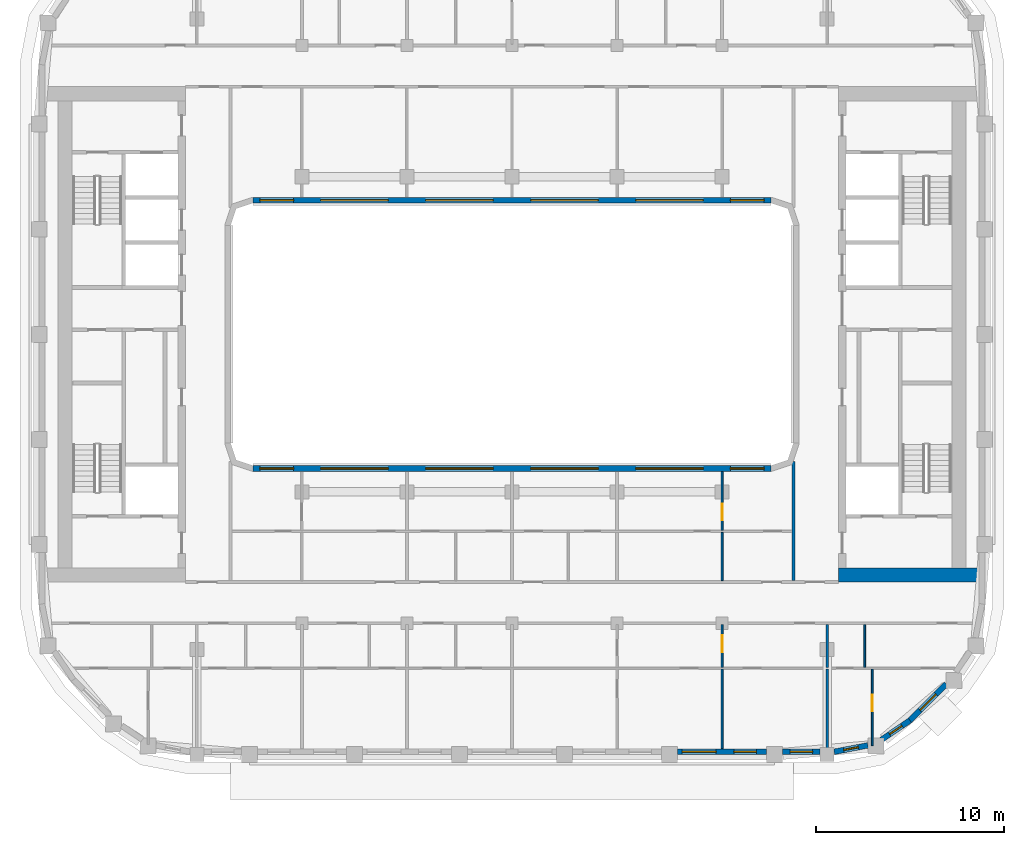
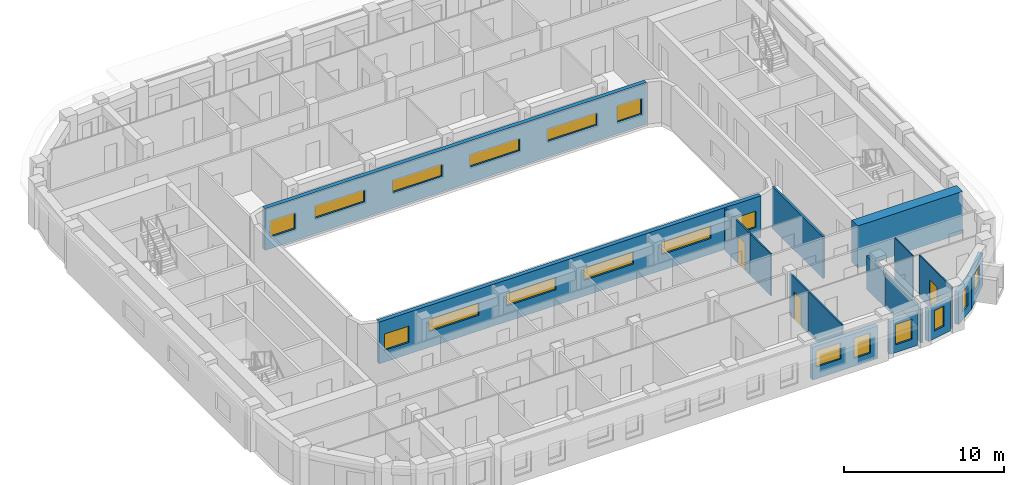
# One storey, part 5 of 21: 18 windows, 17 walls, 3 doors, 21 openings.
"""IFC4 building model written with IfcOpenShell, lengths in metres."""

from ifc_helpers import new_model, si_unit, direction, frame, frame_2d, origin, place, context, subcontext, project, spatial, rectangle, extrude, material, layer, layer_set, type_object, element, fill, save


model = new_model("IFC4")

# Units and contexts
model_context = context("Model", 3, precision=1e-05, world=origin(), true_north=direction((0.0, 1.0)))
body_context = subcontext(model_context, "Body", "Model", "MODEL_VIEW")
ifc_project = project(units=[si_unit("LENGTHUNIT", "METRE"), si_unit("AREAUNIT", "SQUARE_METRE"), si_unit("VOLUMEUNIT", "CUBIC_METRE"), si_unit("PLANEANGLEUNIT", "RADIAN"), si_unit("MASSUNIT", "GRAM", prefix="KILO")], contexts=[model_context])

# Site, building, storey
site_placement = place(None, origin())
site = spatial("IfcSite", under=ifc_project, at=site_placement, CompositionType="ELEMENT")
building_placement = place(site_placement, origin())
building = spatial("IfcBuilding", under=site, at=building_placement, Name="Kiln Ring Residences", CompositionType="ELEMENT")
storey_placement = place(building_placement, frame((0.0, 0.0, 223.89990234375)))
storey = spatial("IfcBuildingStorey", under=building, at=storey_placement, Name="L58", CompositionType="ELEMENT", Elevation=223.89990234375)

# Wall
ifc_material_1 = material(Name="Concrete C60/75", Category="concrete")
ifc_layer_1 = layer(ifc_material_1, 0.75)
ifc_layer_set_1 = layer_set([ifc_layer_1], Name="CORE-WALL-RC750")
wall_type_1 = type_object("IfcWallType", Name="CORE-WALL-RC750", PredefinedType="SHEAR", material=ifc_layer_set_1)
wall_1_placement = place(storey_placement, frame((17.39990234375, -12.824951171875, 0.0), z_axis=(0.0, 0.0, 1.0), x_axis=(1.0, 0.0, 0.0)))
element("IfcWall", 1, at=wall_1_placement, inside=storey, type_object=wall_type_1, Name="Core wall east L58 5", PredefinedType="SHEAR", context=body_context, shape_type="SweptSolid", body=[
    extrude(rectangle(XDim=7.60009765625, YDim=0.75, at=frame_2d((3.800048828125, 0.0))), origin(), (0.0, 0.0, 1.0), 3.2001953125),
])

# Wall, openings, windows
ifc_material_2 = material(Name="Brick masonry, dark clay brick", Category="masonry")
ifc_layer_2 = layer(ifc_material_2, 0.300048828125)
ifc_layer_set_2 = layer_set([ifc_layer_2], Name="EW-300 BRICK WALL")
wall_type_2 = type_object("IfcWallType", Name="EW-300 BRICK WALL", PredefinedType="SOLIDWALL", material=ifc_layer_set_2)
wall_2_placement = place(storey_placement, frame((8.824951171875, -22.25, 0.0), z_axis=(0.0, 0.0, 1.0), x_axis=(1.0, 0.0, 0.0)))
wall_2 = element("IfcWall", 2, at=wall_2_placement, inside=storey, type_object=wall_type_2, Name="Facade wall L58 9", PredefinedType="SOLIDWALL", context=body_context, shape_type="SweptSolid", body=[
    extrude(rectangle(XDim=4.75, YDim=0.300048828125, at=frame_2d((2.375, 0.0))), origin(), (0.0, 0.0, 1.0), 2.5),
])
opening_1_placement = place(wall_2_placement, frame((0.25, 0.0, 0.89990234375)))
opening_1 = element("IfcOpeningElement", 3, at=opening_1_placement, cuts=wall_2, Name="Opening W2", PredefinedType="OPENING", context=body_context, shape_type="SweptSolid", body=[
    extrude(rectangle(XDim=1.800048828125, YDim=1.25, at=frame_2d((0.89990234375, 0.625))), frame((0.0, 0.159912109375, 0.0), z_axis=(0.0, -1.0, 0.0), x_axis=(1.0, 0.0, 0.0)), (0.0, 0.0, 1.0), 0.320068359375),
])
opening_2_placement = place(wall_2_placement, frame((3.0, 0.0, 0.60009765625)))
opening_2 = element("IfcOpeningElement", 4, at=opening_2_placement, cuts=wall_2, Name="Opening W1", PredefinedType="OPENING", context=body_context, shape_type="SweptSolid", body=[
    extrude(rectangle(XDim=1.199951171875, YDim=1.550048828125, at=frame_2d((0.60009765625, 0.77490234375))), frame((0.0, 0.159912109375, 0.0), z_axis=(0.0, -1.0, 0.0), x_axis=(1.0, 0.0, 0.0)), (0.0, 0.0, 1.0), 0.320068359375),
])
ifc_material_3 = material(Name="Aluminium frame with double glazing", Category="aluminium")
window_type_1 = type_object("IfcWindowType", Name="WINDOW 1200 x 1550", PartitioningType="SINGLE_PANEL", PredefinedType="WINDOW", material=ifc_material_3)
window_1_placement = place(opening_2_placement, origin())
window_1 = element("IfcWindow", 5, at=window_1_placement, inside=storey, type_object=window_type_1, Name="Window L58 13", OverallHeight=1.550048828125, OverallWidth=1.199951171875, PartitioningType="SINGLE_PANEL", PredefinedType="WINDOW", context=body_context, shape_type="SweptSolid", body=[
    extrude(rectangle(XDim=1.199951171875, YDim=1.550048828125, at=frame_2d((0.60009765625, 0.77490234375))), frame((0.0, 0.030029296875, 0.0), z_axis=(0.0, -1.0, 0.0), x_axis=(1.0, 0.0, 0.0)), (0.0, 0.0, 1.0), 0.06005859375),
])
fill(opening_2, window_1)
ifc_material_4 = material(Name="Aluminium frame with double glazing", Category="aluminium")
window_type_2 = type_object("IfcWindowType", Name="WINDOW 1800 x 1250", PartitioningType="SINGLE_PANEL", PredefinedType="WINDOW", material=ifc_material_4)
window_2_placement = place(opening_1_placement, origin())
window_2 = element("IfcWindow", 6, at=window_2_placement, inside=storey, type_object=window_type_2, Name="Window L58 12", OverallHeight=1.25, OverallWidth=1.800048828125, PartitioningType="SINGLE_PANEL", PredefinedType="WINDOW", context=body_context, shape_type="SweptSolid", body=[
    extrude(rectangle(XDim=1.800048828125, YDim=1.25, at=frame_2d((0.89990234375, 0.625))), frame((0.0, 0.030029296875, 0.0), z_axis=(0.0, -1.0, 0.0), x_axis=(1.0, 0.0, 0.0)), (0.0, 0.0, 1.0), 0.06005859375),
])
fill(opening_1, window_2)

# Wall, opening, window
wall_3_placement = place(storey_placement, frame((14.425048828125, -22.25, 0.0), z_axis=(0.0, 0.0, 1.0), x_axis=(1.0, 0.0, 0.0)))
wall_3 = element("IfcWall", 7, at=wall_3_placement, inside=storey, type_object=wall_type_2, Name="Facade wall L58 10", PredefinedType="SOLIDWALL", context=body_context, shape_type="SweptSolid", body=[
    extrude(rectangle(XDim=2.0, YDim=0.300048828125, at=frame_2d((1.0, 0.0))), origin(), (0.0, 0.0, 1.0), 2.5),
])
opening_3_placement = place(wall_3_placement, frame((0.39990234375, 0.0, 0.60009765625)))
opening_3 = element("IfcOpeningElement", 8, at=opening_3_placement, cuts=wall_3, Name="Opening W1", PredefinedType="OPENING", context=body_context, shape_type="SweptSolid", body=[
    extrude(rectangle(XDim=1.199951171875, YDim=1.550048828125, at=frame_2d((0.60009765625, 0.77490234375))), frame((0.0, 0.159912109375, 0.0), z_axis=(0.0, -1.0, 0.0), x_axis=(1.0, 0.0, 0.0)), (0.0, 0.0, 1.0), 0.320068359375),
])
window_3_placement = place(opening_3_placement, origin())
window_3 = element("IfcWindow", 9, at=window_3_placement, inside=storey, type_object=window_type_1, Name="Window L58 14", OverallHeight=1.550048828125, OverallWidth=1.199951171875, PartitioningType="SINGLE_PANEL", PredefinedType="WINDOW", context=body_context, shape_type="SweptSolid", body=[
    extrude(rectangle(XDim=1.199951171875, YDim=1.550048828125, at=frame_2d((0.60009765625, 0.77490234375))), frame((0.0, 0.030029296875, 0.0), z_axis=(0.0, -1.0, 0.0), x_axis=(1.0, 0.0, 0.0)), (0.0, 0.0, 1.0), 0.06005859375),
])
fill(opening_3, window_3)

wall_4_placement = place(storey_placement, frame((17.171875, -22.252685546875, 0.0), z_axis=(0.0, 0.0, 1.0), x_axis=(0.982300037503, 0.187314271538, 0.0)))
wall_4 = element("IfcWall", 10, at=wall_4_placement, inside=storey, type_object=wall_type_2, Name="Facade wall L58 11", PredefinedType="SOLIDWALL", context=body_context, shape_type="SweptSolid", body=[
    extrude(rectangle(XDim=1.831298828125, YDim=0.300048828125, at=frame_2d((0.91552734375, 0.0))), origin(), (0.0, 0.0, 1.0), 2.5),
])
opening_4_placement = place(wall_4_placement, frame((0.515625, 0.0, 0.60009765625)))
opening_4 = element("IfcOpeningElement", 11, at=opening_4_placement, cuts=wall_4, Name="Opening W5", PredefinedType="OPENING", context=body_context, shape_type="SweptSolid", body=[
    extrude(rectangle(XDim=0.800048828125, YDim=1.550048828125, at=frame_2d((0.39990234375, 0.77490234375))), frame((0.0, 0.159912109375, 0.0), z_axis=(0.0, -1.0, 0.0), x_axis=(1.0, 0.0, 0.0)), (0.0, 0.0, 1.0), 0.320068359375),
])
ifc_material_5 = material(Name="Aluminium frame with double glazing", Category="aluminium")
window_type_3 = type_object("IfcWindowType", Name="WINDOW 800 x 1550", PartitioningType="SINGLE_PANEL", PredefinedType="WINDOW", material=ifc_material_5)
window_4_placement = place(opening_4_placement, origin())
window_4 = element("IfcWindow", 12, at=window_4_placement, inside=storey, type_object=window_type_3, Name="Window L58 15", OverallHeight=1.550048828125, OverallWidth=0.800048828125, PartitioningType="SINGLE_PANEL", PredefinedType="WINDOW", context=body_context, shape_type="SweptSolid", body=[
    extrude(rectangle(XDim=0.800048828125, YDim=1.550048828125, at=frame_2d((0.39990234375, 0.77490234375))), frame((0.0, 0.030029296875, 0.0), z_axis=(0.0, -1.0, 0.0), x_axis=(1.0, 0.0, 0.0)), (0.0, 0.0, 1.0), 0.06005859375),
])
fill(opening_4, window_4)

wall_5_placement = place(storey_placement, frame((19.6982421875, -21.608154296875, 0.0), z_axis=(0.0, 0.0, 1.0), x_axis=(0.82705295608, 0.562124014644, 0.0)))
wall_5 = element("IfcWall", 13, at=wall_5_placement, inside=storey, type_object=wall_type_2, Name="Facade wall L58 12", PredefinedType="SOLIDWALL", context=body_context, shape_type="SweptSolid", body=[
    extrude(rectangle(XDim=1.8310546875, YDim=0.300048828125, at=frame_2d((0.91552734375, 0.0))), origin(), (0.0, 0.0, 1.0), 2.5),
])
opening_5_placement = place(wall_5_placement, frame((0.515625, 0.0, 0.60009765625)))
opening_5 = element("IfcOpeningElement", 14, at=opening_5_placement, cuts=wall_5, Name="Opening W5", PredefinedType="OPENING", context=body_context, shape_type="SweptSolid", body=[
    extrude(rectangle(XDim=0.800048828125, YDim=1.550048828125, at=frame_2d((0.39990234375, 0.77490234375))), frame((0.0, 0.159912109375, 0.0), z_axis=(0.0, -1.0, 0.0), x_axis=(1.0, 0.0, 0.0)), (0.0, 0.0, 1.0), 0.320068359375),
])
window_5_placement = place(opening_5_placement, origin())
window_5 = element("IfcWindow", 15, at=window_5_placement, inside=storey, type_object=window_type_3, Name="Window L58 16", OverallHeight=1.550048828125, OverallWidth=0.800048828125, PartitioningType="SINGLE_PANEL", PredefinedType="WINDOW", context=body_context, shape_type="SweptSolid", body=[
    extrude(rectangle(XDim=0.800048828125, YDim=1.550048828125, at=frame_2d((0.39990234375, 0.77490234375))), frame((0.0, 0.030029296875, 0.0), z_axis=(0.0, -1.0, 0.0), x_axis=(1.0, 0.0, 0.0)), (0.0, 0.0, 1.0), 0.06005859375),
])
fill(opening_5, window_5)

wall_6_placement = place(storey_placement, frame((21.19091796875, -20.596923828125, 0.0), z_axis=(0.0, 0.0, 1.0), x_axis=(0.707150767798, 0.707062791838, 0.0)))
wall_6 = element("IfcWall", 16, at=wall_6_placement, inside=storey, type_object=wall_type_2, Name="Facade wall L58 13", PredefinedType="SOLIDWALL", context=body_context, shape_type="SweptSolid", body=[
    extrude(rectangle(XDim=2.775146484375, YDim=0.300048828125, at=frame_2d((1.3876953125, 0.0))), origin(), (0.0, 0.0, 1.0), 2.5),
])
opening_6_placement = place(wall_6_placement, frame((0.78759765625, 0.0, 0.60009765625)))
opening_6 = element("IfcOpeningElement", 17, at=opening_6_placement, cuts=wall_6, Name="Opening W1", PredefinedType="OPENING", context=body_context, shape_type="SweptSolid", body=[
    extrude(rectangle(XDim=1.199951171875, YDim=1.550048828125, at=frame_2d((0.60009765625, 0.77490234375))), frame((0.0, 0.159912109375, 0.0), z_axis=(0.0, -1.0, 0.0), x_axis=(1.0, 0.0, 0.0)), (0.0, 0.0, 1.0), 0.320068359375),
])
window_6_placement = place(opening_6_placement, origin())
window_6 = element("IfcWindow", 18, at=window_6_placement, inside=storey, type_object=window_type_1, Name="Window L58 17", OverallHeight=1.550048828125, OverallWidth=1.199951171875, PartitioningType="SINGLE_PANEL", PredefinedType="WINDOW", context=body_context, shape_type="SweptSolid", body=[
    extrude(rectangle(XDim=1.199951171875, YDim=1.550048828125, at=frame_2d((0.60009765625, 0.77490234375))), frame((0.0, 0.030029296875, 0.0), z_axis=(0.0, -1.0, 0.0), x_axis=(1.0, 0.0, 0.0)), (0.0, 0.0, 1.0), 0.06005859375),
])
fill(opening_6, window_6)

# Wall, openings, windows
wall_7_placement = place(storey_placement, frame((-13.800048828125, 7.14990234375, 0.0), z_axis=(0.0, 0.0, 1.0), x_axis=(1.0, 0.0, 0.0)))
wall_7 = element("IfcWall", 19, at=wall_7_placement, inside=storey, type_object=wall_type_2, Name="Facade wall L58 48", PredefinedType="SOLIDWALL", context=body_context, shape_type="SweptSolid", body=[
    extrude(rectangle(XDim=27.60009765625, YDim=0.300048828125, at=frame_2d((13.800048828125, 0.0))), origin(), (0.0, 0.0, 1.0), 3.2001953125),
])
opening_7_placement = place(wall_7_placement, frame((0.362548828125, 0.0, 0.89990234375)))
opening_7 = element("IfcOpeningElement", 20, at=opening_7_placement, cuts=wall_7, Name="Opening W2", PredefinedType="OPENING", context=body_context, shape_type="SweptSolid", body=[
    extrude(rectangle(XDim=1.800048828125, YDim=1.25, at=frame_2d((0.89990234375, 0.625))), frame((0.0, 0.159912109375, 0.0), z_axis=(0.0, -1.0, 0.0), x_axis=(1.0, 0.0, 0.0)), (0.0, 0.0, 1.0), 0.320068359375),
])
opening_8_placement = place(wall_7_placement, frame((3.60009765625, 0.0, 1.199951171875)))
opening_8 = element("IfcOpeningElement", 21, at=opening_8_placement, cuts=wall_7, Name="Opening W4", PredefinedType="OPENING", context=body_context, shape_type="SweptSolid", body=[
    extrude(rectangle(XDim=3.60009765625, YDim=0.949951171875, at=frame_2d((1.800048828125, 0.47509765625))), frame((0.0, 0.159912109375, 0.0), z_axis=(0.0, -1.0, 0.0), x_axis=(1.0, 0.0, 0.0)), (0.0, 0.0, 1.0), 0.320068359375),
])
opening_9_placement = place(wall_7_placement, frame((9.199951171875, 0.0, 1.199951171875)))
opening_9 = element("IfcOpeningElement", 22, at=opening_9_placement, cuts=wall_7, Name="Opening W4", PredefinedType="OPENING", context=body_context, shape_type="SweptSolid", body=[
    extrude(rectangle(XDim=3.60009765625, YDim=0.949951171875, at=frame_2d((1.800048828125, 0.47509765625))), frame((0.0, 0.159912109375, 0.0), z_axis=(0.0, -1.0, 0.0), x_axis=(1.0, 0.0, 0.0)), (0.0, 0.0, 1.0), 0.320068359375),
])
opening_10_placement = place(wall_7_placement, frame((14.800048828125, 0.0, 1.199951171875)))
opening_10 = element("IfcOpeningElement", 23, at=opening_10_placement, cuts=wall_7, Name="Opening W4", PredefinedType="OPENING", context=body_context, shape_type="SweptSolid", body=[
    extrude(rectangle(XDim=3.60009765625, YDim=0.949951171875, at=frame_2d((1.800048828125, 0.47509765625))), frame((0.0, 0.159912109375, 0.0), z_axis=(0.0, -1.0, 0.0), x_axis=(1.0, 0.0, 0.0)), (0.0, 0.0, 1.0), 0.320068359375),
])
opening_11_placement = place(wall_7_placement, frame((20.39990234375, 0.0, 1.199951171875)))
opening_11 = element("IfcOpeningElement", 24, at=opening_11_placement, cuts=wall_7, Name="Opening W4", PredefinedType="OPENING", context=body_context, shape_type="SweptSolid", body=[
    extrude(rectangle(XDim=3.60009765625, YDim=0.949951171875, at=frame_2d((1.800048828125, 0.47509765625))), frame((0.0, 0.159912109375, 0.0), z_axis=(0.0, -1.0, 0.0), x_axis=(1.0, 0.0, 0.0)), (0.0, 0.0, 1.0), 0.320068359375),
])
opening_12_placement = place(wall_7_placement, frame((25.4375, 0.0, 0.89990234375)))
opening_12 = element("IfcOpeningElement", 25, at=opening_12_placement, cuts=wall_7, Name="Opening W2", PredefinedType="OPENING", context=body_context, shape_type="SweptSolid", body=[
    extrude(rectangle(XDim=1.800048828125, YDim=1.25, at=frame_2d((0.89990234375, 0.625))), frame((0.0, 0.159912109375, 0.0), z_axis=(0.0, -1.0, 0.0), x_axis=(1.0, 0.0, 0.0)), (0.0, 0.0, 1.0), 0.320068359375),
])
window_7_placement = place(opening_7_placement, origin())
window_7 = element("IfcWindow", 26, at=window_7_placement, inside=storey, type_object=window_type_2, Name="Window L58 34", OverallHeight=1.25, OverallWidth=1.800048828125, PartitioningType="SINGLE_PANEL", PredefinedType="WINDOW", context=body_context, shape_type="SweptSolid", body=[
    extrude(rectangle(XDim=1.800048828125, YDim=1.25, at=frame_2d((0.89990234375, 0.625))), frame((0.0, 0.030029296875, 0.0), z_axis=(0.0, -1.0, 0.0), x_axis=(1.0, 0.0, 0.0)), (0.0, 0.0, 1.0), 0.06005859375),
])
fill(opening_7, window_7)
window_8_placement = place(opening_12_placement, origin())
window_8 = element("IfcWindow", 27, at=window_8_placement, inside=storey, type_object=window_type_2, Name="Window L58 39", OverallHeight=1.25, OverallWidth=1.800048828125, PartitioningType="SINGLE_PANEL", PredefinedType="WINDOW", context=body_context, shape_type="SweptSolid", body=[
    extrude(rectangle(XDim=1.800048828125, YDim=1.25, at=frame_2d((0.89990234375, 0.625))), frame((0.0, 0.030029296875, 0.0), z_axis=(0.0, -1.0, 0.0), x_axis=(1.0, 0.0, 0.0)), (0.0, 0.0, 1.0), 0.06005859375),
])
fill(opening_12, window_8)
ifc_material_6 = material(Name="Aluminium frame with double glazing", Category="aluminium")
window_type_4 = type_object("IfcWindowType", Name="WINDOW 3600 x 950", PartitioningType="SINGLE_PANEL", PredefinedType="WINDOW", material=ifc_material_6)
window_9_placement = place(opening_8_placement, origin())
window_9 = element("IfcWindow", 28, at=window_9_placement, inside=storey, type_object=window_type_4, Name="Window L58 35", OverallHeight=0.949951171875, OverallWidth=3.60009765625, PartitioningType="SINGLE_PANEL", PredefinedType="WINDOW", context=body_context, shape_type="SweptSolid", body=[
    extrude(rectangle(XDim=3.60009765625, YDim=0.949951171875, at=frame_2d((1.800048828125, 0.47509765625))), frame((0.0, 0.030029296875, 0.0), z_axis=(0.0, -1.0, 0.0), x_axis=(1.0, 0.0, 0.0)), (0.0, 0.0, 1.0), 0.06005859375),
])
fill(opening_8, window_9)
window_10_placement = place(opening_9_placement, origin())
window_10 = element("IfcWindow", 29, at=window_10_placement, inside=storey, type_object=window_type_4, Name="Window L58 36", OverallHeight=0.949951171875, OverallWidth=3.60009765625, PartitioningType="SINGLE_PANEL", PredefinedType="WINDOW", context=body_context, shape_type="SweptSolid", body=[
    extrude(rectangle(XDim=3.60009765625, YDim=0.949951171875, at=frame_2d((1.800048828125, 0.47509765625))), frame((0.0, 0.030029296875, 0.0), z_axis=(0.0, -1.0, 0.0), x_axis=(1.0, 0.0, 0.0)), (0.0, 0.0, 1.0), 0.06005859375),
])
fill(opening_9, window_10)
window_11_placement = place(opening_10_placement, origin())
window_11 = element("IfcWindow", 30, at=window_11_placement, inside=storey, type_object=window_type_4, Name="Window L58 37", OverallHeight=0.949951171875, OverallWidth=3.60009765625, PartitioningType="SINGLE_PANEL", PredefinedType="WINDOW", context=body_context, shape_type="SweptSolid", body=[
    extrude(rectangle(XDim=3.60009765625, YDim=0.949951171875, at=frame_2d((1.800048828125, 0.47509765625))), frame((0.0, 0.030029296875, 0.0), z_axis=(0.0, -1.0, 0.0), x_axis=(1.0, 0.0, 0.0)), (0.0, 0.0, 1.0), 0.06005859375),
])
fill(opening_10, window_11)
window_12_placement = place(opening_11_placement, origin())
window_12 = element("IfcWindow", 31, at=window_12_placement, inside=storey, type_object=window_type_4, Name="Window L58 38", OverallHeight=0.949951171875, OverallWidth=3.60009765625, PartitioningType="SINGLE_PANEL", PredefinedType="WINDOW", context=body_context, shape_type="SweptSolid", body=[
    extrude(rectangle(XDim=3.60009765625, YDim=0.949951171875, at=frame_2d((1.800048828125, 0.47509765625))), frame((0.0, 0.030029296875, 0.0), z_axis=(0.0, -1.0, 0.0), x_axis=(1.0, 0.0, 0.0)), (0.0, 0.0, 1.0), 0.06005859375),
])
fill(opening_11, window_12)

wall_8_placement = place(storey_placement, frame((13.800048828125, -7.14990234375, 0.0), z_axis=(0.0, 0.0, 1.0), x_axis=(-1.0, 0.0, 0.0)))
wall_8 = element("IfcWall", 32, at=wall_8_placement, inside=storey, type_object=wall_type_2, Name="Facade wall L58 50", PredefinedType="SOLIDWALL", context=body_context, shape_type="SweptSolid", body=[
    extrude(rectangle(XDim=27.60009765625, YDim=0.300048828125, at=frame_2d((13.800048828125, 0.0))), origin(), (0.0, 0.0, 1.0), 3.2001953125),
])
opening_13_placement = place(wall_8_placement, frame((0.362548828125, 0.0, 0.89990234375)))
opening_13 = element("IfcOpeningElement", 33, at=opening_13_placement, cuts=wall_8, Name="Opening W2", PredefinedType="OPENING", context=body_context, shape_type="SweptSolid", body=[
    extrude(rectangle(XDim=1.800048828125, YDim=1.25, at=frame_2d((0.89990234375, 0.625))), frame((0.0, 0.159912109375, 0.0), z_axis=(0.0, -1.0, 0.0), x_axis=(1.0, 0.0, 0.0)), (0.0, 0.0, 1.0), 0.320068359375),
])
opening_14_placement = place(wall_8_placement, frame((3.60009765625, 0.0, 1.199951171875)))
opening_14 = element("IfcOpeningElement", 34, at=opening_14_placement, cuts=wall_8, Name="Opening W4", PredefinedType="OPENING", context=body_context, shape_type="SweptSolid", body=[
    extrude(rectangle(XDim=3.60009765625, YDim=0.949951171875, at=frame_2d((1.800048828125, 0.47509765625))), frame((0.0, 0.159912109375, 0.0), z_axis=(0.0, -1.0, 0.0), x_axis=(1.0, 0.0, 0.0)), (0.0, 0.0, 1.0), 0.320068359375),
])
opening_15_placement = place(wall_8_placement, frame((9.199951171875, 0.0, 1.199951171875)))
opening_15 = element("IfcOpeningElement", 35, at=opening_15_placement, cuts=wall_8, Name="Opening W4", PredefinedType="OPENING", context=body_context, shape_type="SweptSolid", body=[
    extrude(rectangle(XDim=3.60009765625, YDim=0.949951171875, at=frame_2d((1.800048828125, 0.47509765625))), frame((0.0, 0.159912109375, 0.0), z_axis=(0.0, -1.0, 0.0), x_axis=(1.0, 0.0, 0.0)), (0.0, 0.0, 1.0), 0.320068359375),
])
opening_16_placement = place(wall_8_placement, frame((14.800048828125, 0.0, 1.199951171875)))
opening_16 = element("IfcOpeningElement", 36, at=opening_16_placement, cuts=wall_8, Name="Opening W4", PredefinedType="OPENING", context=body_context, shape_type="SweptSolid", body=[
    extrude(rectangle(XDim=3.60009765625, YDim=0.949951171875, at=frame_2d((1.800048828125, 0.47509765625))), frame((0.0, 0.159912109375, 0.0), z_axis=(0.0, -1.0, 0.0), x_axis=(1.0, 0.0, 0.0)), (0.0, 0.0, 1.0), 0.320068359375),
])
opening_17_placement = place(wall_8_placement, frame((20.39990234375, 0.0, 1.199951171875)))
opening_17 = element("IfcOpeningElement", 37, at=opening_17_placement, cuts=wall_8, Name="Opening W4", PredefinedType="OPENING", context=body_context, shape_type="SweptSolid", body=[
    extrude(rectangle(XDim=3.60009765625, YDim=0.949951171875, at=frame_2d((1.800048828125, 0.47509765625))), frame((0.0, 0.159912109375, 0.0), z_axis=(0.0, -1.0, 0.0), x_axis=(1.0, 0.0, 0.0)), (0.0, 0.0, 1.0), 0.320068359375),
])
opening_18_placement = place(wall_8_placement, frame((25.4375, 0.0, 0.89990234375)))
opening_18 = element("IfcOpeningElement", 38, at=opening_18_placement, cuts=wall_8, Name="Opening W2", PredefinedType="OPENING", context=body_context, shape_type="SweptSolid", body=[
    extrude(rectangle(XDim=1.800048828125, YDim=1.25, at=frame_2d((0.89990234375, 0.625))), frame((0.0, 0.159912109375, 0.0), z_axis=(0.0, -1.0, 0.0), x_axis=(1.0, 0.0, 0.0)), (0.0, 0.0, 1.0), 0.320068359375),
])
window_13_placement = place(opening_13_placement, origin())
window_13 = element("IfcWindow", 39, at=window_13_placement, inside=storey, type_object=window_type_2, Name="Window L58 40", OverallHeight=1.25, OverallWidth=1.800048828125, PartitioningType="SINGLE_PANEL", PredefinedType="WINDOW", context=body_context, shape_type="SweptSolid", body=[
    extrude(rectangle(XDim=1.800048828125, YDim=1.25, at=frame_2d((0.89990234375, 0.625))), frame((0.0, 0.030029296875, 0.0), z_axis=(0.0, -1.0, 0.0), x_axis=(1.0, 0.0, 0.0)), (0.0, 0.0, 1.0), 0.06005859375),
])
fill(opening_13, window_13)
window_14_placement = place(opening_18_placement, origin())
window_14 = element("IfcWindow", 40, at=window_14_placement, inside=storey, type_object=window_type_2, Name="Window L58 45", OverallHeight=1.25, OverallWidth=1.800048828125, PartitioningType="SINGLE_PANEL", PredefinedType="WINDOW", context=body_context, shape_type="SweptSolid", body=[
    extrude(rectangle(XDim=1.800048828125, YDim=1.25, at=frame_2d((0.89990234375, 0.625))), frame((0.0, 0.030029296875, 0.0), z_axis=(0.0, -1.0, 0.0), x_axis=(1.0, 0.0, 0.0)), (0.0, 0.0, 1.0), 0.06005859375),
])
fill(opening_18, window_14)
window_15_placement = place(opening_14_placement, origin())
window_15 = element("IfcWindow", 41, at=window_15_placement, inside=storey, type_object=window_type_4, Name="Window L58 41", OverallHeight=0.949951171875, OverallWidth=3.60009765625, PartitioningType="SINGLE_PANEL", PredefinedType="WINDOW", context=body_context, shape_type="SweptSolid", body=[
    extrude(rectangle(XDim=3.60009765625, YDim=0.949951171875, at=frame_2d((1.800048828125, 0.47509765625))), frame((0.0, 0.030029296875, 0.0), z_axis=(0.0, -1.0, 0.0), x_axis=(1.0, 0.0, 0.0)), (0.0, 0.0, 1.0), 0.06005859375),
])
fill(opening_14, window_15)
window_16_placement = place(opening_15_placement, origin())
window_16 = element("IfcWindow", 42, at=window_16_placement, inside=storey, type_object=window_type_4, Name="Window L58 42", OverallHeight=0.949951171875, OverallWidth=3.60009765625, PartitioningType="SINGLE_PANEL", PredefinedType="WINDOW", context=body_context, shape_type="SweptSolid", body=[
    extrude(rectangle(XDim=3.60009765625, YDim=0.949951171875, at=frame_2d((1.800048828125, 0.47509765625))), frame((0.0, 0.030029296875, 0.0), z_axis=(0.0, -1.0, 0.0), x_axis=(1.0, 0.0, 0.0)), (0.0, 0.0, 1.0), 0.06005859375),
])
fill(opening_15, window_16)
window_17_placement = place(opening_16_placement, origin())
window_17 = element("IfcWindow", 43, at=window_17_placement, inside=storey, type_object=window_type_4, Name="Window L58 43", OverallHeight=0.949951171875, OverallWidth=3.60009765625, PartitioningType="SINGLE_PANEL", PredefinedType="WINDOW", context=body_context, shape_type="SweptSolid", body=[
    extrude(rectangle(XDim=3.60009765625, YDim=0.949951171875, at=frame_2d((1.800048828125, 0.47509765625))), frame((0.0, 0.030029296875, 0.0), z_axis=(0.0, -1.0, 0.0), x_axis=(1.0, 0.0, 0.0)), (0.0, 0.0, 1.0), 0.06005859375),
])
fill(opening_16, window_17)
window_18_placement = place(opening_17_placement, origin())
window_18 = element("IfcWindow", 44, at=window_18_placement, inside=storey, type_object=window_type_4, Name="Window L58 44", OverallHeight=0.949951171875, OverallWidth=3.60009765625, PartitioningType="SINGLE_PANEL", PredefinedType="WINDOW", context=body_context, shape_type="SweptSolid", body=[
    extrude(rectangle(XDim=3.60009765625, YDim=0.949951171875, at=frame_2d((1.800048828125, 0.47509765625))), frame((0.0, 0.030029296875, 0.0), z_axis=(0.0, -1.0, 0.0), x_axis=(1.0, 0.0, 0.0)), (0.0, 0.0, 1.0), 0.06005859375),
])
fill(opening_17, window_18)

# Wall
ifc_material_7 = material(Name="Gypsum board on steel studs", Category="steel")
ifc_layer_3 = layer(ifc_material_7, 0.10009765625)
ifc_layer_set_3 = layer_set([ifc_layer_3], Name="PARTITION-100")
wall_type_3 = type_object("IfcWallType", Name="PARTITION-100", PredefinedType="PARTITIONING", material=ifc_layer_set_3)
wall_9_placement = place(storey_placement, frame((11.199951171875, -22.080078125, 0.0), z_axis=(0.0, 0.0, 1.0), x_axis=(0.0, 1.0, 0.0)))
element("IfcWall", 45, at=wall_9_placement, inside=storey, type_object=wall_type_3, Name="Partition 052", PredefinedType="PARTITIONING", context=body_context, shape_type="SweptSolid", body=[
    extrude(rectangle(XDim=4.22998046875, YDim=0.10009765625, at=frame_2d((2.114990234375, 0.0))), origin(), (0.0, 0.0, 1.0), 3.2001953125),
])

# Wall, opening, door
wall_10_placement = place(storey_placement, frame((11.199951171875, -17.75, 0.0), z_axis=(0.0, 0.0, 1.0), x_axis=(0.0, 1.0, 0.0)))
wall_10 = element("IfcWall", 46, at=wall_10_placement, inside=storey, type_object=wall_type_3, Name="Partition 053", PredefinedType="PARTITIONING", context=body_context, shape_type="SweptSolid", body=[
    extrude(rectangle(XDim=2.27490234375, YDim=0.10009765625, at=frame_2d((1.137451171875, 0.0))), origin(), (0.0, 0.0, 1.0), 3.2001953125),
])
opening_19_placement = place(wall_10_placement, frame((0.799072265625, 0.0, 0.0)))
opening_19 = element("IfcOpeningElement", 47, at=opening_19_placement, cuts=wall_10, Name="Opening L58-D059", PredefinedType="OPENING", context=body_context, shape_type="SweptSolid", body=[
    extrude(rectangle(XDim=0.89990234375, YDim=2.10009765625, at=frame_2d((0.449951171875, 1.050048828125))), frame((0.0, 0.06005859375, 0.0), z_axis=(0.0, -1.0, 0.0), x_axis=(1.0, 0.0, 0.0)), (0.0, 0.0, 1.0), 0.1201171875),
])
ifc_material_8 = material(Name="Timber door leaf", Category="wood")
door_type = type_object("IfcDoorType", Name="FLAT-DOOR-900-PL", OperationType="SINGLE_SWING_LEFT", PredefinedType="DOOR", material=ifc_material_8)
door_1_placement = place(opening_19_placement, origin())
door_1 = element("IfcDoor", 48, at=door_1_placement, inside=storey, type_object=door_type, Name="Door L58-D059", OperationType="SINGLE_SWING_LEFT", OverallHeight=2.10009765625, OverallWidth=0.89990234375, PredefinedType="DOOR", context=body_context, shape_type="SweptSolid", body=[
    extrude(rectangle(XDim=0.89990234375, YDim=2.10009765625, at=frame_2d((0.449951171875, 1.050048828125))), frame((0.0, 0.02490234375, 0.0), z_axis=(0.0, -1.0, 0.0), x_axis=(1.0, 0.0, 0.0)), (0.0, 0.0, 1.0), 0.050048828125),
])
fill(opening_19, door_1)

# Wall
wall_11_placement = place(storey_placement, frame((11.199951171875, -13.125, 0.0), z_axis=(0.0, 0.0, 1.0), x_axis=(0.0, 1.0, 0.0)))
element("IfcWall", 49, at=wall_11_placement, inside=storey, type_object=wall_type_3, Name="Partition 054", PredefinedType="PARTITIONING", context=body_context, shape_type="SweptSolid", body=[
    extrude(rectangle(XDim=2.574951171875, YDim=0.10009765625, at=frame_2d((1.28759765625, 0.0))), origin(), (0.0, 0.0, 1.0), 3.2001953125),
])

# Wall, opening, door
wall_12_placement = place(storey_placement, frame((11.199951171875, -10.449951171875, 0.0), z_axis=(0.0, 0.0, 1.0), x_axis=(0.0, 1.0, 0.0)))
wall_12 = element("IfcWall", 50, at=wall_12_placement, inside=storey, type_object=wall_type_3, Name="Partition 055", PredefinedType="PARTITIONING", context=body_context, shape_type="SweptSolid", body=[
    extrude(rectangle(XDim=3.1298828125, YDim=0.10009765625, at=frame_2d((1.56494140625, 0.0))), origin(), (0.0, 0.0, 1.0), 3.2001953125),
])
opening_20_placement = place(wall_12_placement, frame((0.530029296875, 0.0, 0.0)))
opening_20 = element("IfcOpeningElement", 51, at=opening_20_placement, cuts=wall_12, Name="Opening L58-D044", PredefinedType="OPENING", context=body_context, shape_type="SweptSolid", body=[
    extrude(rectangle(XDim=0.89990234375, YDim=2.10009765625, at=frame_2d((0.449951171875, 1.050048828125))), frame((0.0, 0.06005859375, 0.0), z_axis=(0.0, -1.0, 0.0), x_axis=(1.0, 0.0, 0.0)), (0.0, 0.0, 1.0), 0.1201171875),
])
door_2_placement = place(opening_20_placement, origin())
door_2 = element("IfcDoor", 52, at=door_2_placement, inside=storey, type_object=door_type, Name="Door L58-D044", OperationType="SINGLE_SWING_RIGHT", OverallHeight=2.10009765625, OverallWidth=0.89990234375, PredefinedType="DOOR", context=body_context, shape_type="SweptSolid", body=[
    extrude(rectangle(XDim=0.89990234375, YDim=2.10009765625, at=frame_2d((0.449951171875, 1.050048828125))), frame((0.0, 0.02490234375, 0.0), z_axis=(0.0, -1.0, 0.0), x_axis=(1.0, 0.0, 0.0)), (0.0, 0.0, 1.0), 0.050048828125),
])
fill(opening_20, door_2)

# Wall
wall_13_placement = place(storey_placement, frame((18.800048828125, -17.75, 0.0), z_axis=(0.0, 0.0, 1.0), x_axis=(0.0, 1.0, 0.0)))
element("IfcWall", 53, at=wall_13_placement, inside=storey, type_object=wall_type_3, Name="Partition 065", PredefinedType="PARTITIONING", context=body_context, shape_type="SweptSolid", body=[
    extrude(rectangle(XDim=2.27490234375, YDim=0.10009765625, at=frame_2d((1.137451171875, 0.0))), origin(), (0.0, 0.0, 1.0), 3.2001953125),
])

# Wall, opening, door
wall_14_placement = place(storey_placement, frame((19.199951171875, -21.919921875, 0.0), z_axis=(0.0, 0.0, 1.0), x_axis=(0.0, 1.0, 0.0)))
wall_14 = element("IfcWall", 54, at=wall_14_placement, inside=storey, type_object=wall_type_3, Name="Partition 066", PredefinedType="PARTITIONING", context=body_context, shape_type="SweptSolid", body=[
    extrude(rectangle(XDim=4.06982421875, YDim=0.10009765625, at=frame_2d((2.034912109375, 0.0))), origin(), (0.0, 0.0, 1.0), 3.2001953125),
])
opening_21_placement = place(wall_14_placement, frame((1.820068359375, 0.0, 0.0)))
opening_21 = element("IfcOpeningElement", 55, at=opening_21_placement, cuts=wall_14, Name="Opening L58-D067", PredefinedType="OPENING", context=body_context, shape_type="SweptSolid", body=[
    extrude(rectangle(XDim=0.89990234375, YDim=2.10009765625, at=frame_2d((0.449951171875, 1.050048828125))), frame((0.0, 0.06005859375, 0.0), z_axis=(0.0, -1.0, 0.0), x_axis=(1.0, 0.0, 0.0)), (0.0, 0.0, 1.0), 0.1201171875),
])
door_3_placement = place(opening_21_placement, origin())
door_3 = element("IfcDoor", 56, at=door_3_placement, inside=storey, type_object=door_type, Name="Door L58-D067", OperationType="SINGLE_SWING_LEFT", OverallHeight=2.10009765625, OverallWidth=0.89990234375, PredefinedType="DOOR", context=body_context, shape_type="SweptSolid", body=[
    extrude(rectangle(XDim=0.89990234375, YDim=2.10009765625, at=frame_2d((0.449951171875, 1.050048828125))), frame((0.0, 0.02490234375, 0.0), z_axis=(0.0, -1.0, 0.0), x_axis=(1.0, 0.0, 0.0)), (0.0, 0.0, 1.0), 0.050048828125),
])
fill(opening_21, door_3)

# Walls
ifc_material_9 = material(Name="Brick masonry partition", Category="masonry")
ifc_layer_4 = layer(ifc_material_9, 0.14990234375)
ifc_layer_set_4 = layer_set([ifc_layer_4], Name="PARTITION-150-ei60")
wall_type_4 = type_object("IfcWallType", Name="PARTITION-150-ei60", PredefinedType="PARTITIONING", material=ifc_layer_set_4)
wall_15_placement = place(storey_placement, frame((15.0, -13.125, 0.0), z_axis=(0.0, 0.0, 1.0), x_axis=(0.0, 1.0, 0.0)))
element("IfcWall", 57, at=wall_15_placement, inside=storey, type_object=wall_type_4, Name="Partition 059", PredefinedType="PARTITIONING", context=body_context, shape_type="SweptSolid", body=[
    extrude(rectangle(XDim=6.356201171875, YDim=0.14990234375, at=frame_2d((3.17822265625, 0.0))), origin(), (0.0, 0.0, 1.0), 3.2001953125),
])
wall_16_placement = place(storey_placement, frame((16.800048828125, -22.31005859375, 0.0), z_axis=(0.0, 0.0, 1.0), x_axis=(0.0, 1.0, 0.0)))
element("IfcWall", 58, at=wall_16_placement, inside=storey, type_object=wall_type_4, Name="Partition 063", PredefinedType="PARTITIONING", context=body_context, shape_type="SweptSolid", body=[
    extrude(rectangle(XDim=4.4599609375, YDim=0.14990234375, at=frame_2d((2.22998046875, 0.0))), origin(), (0.0, 0.0, 1.0), 2.550048828125),
])
wall_17_placement = place(storey_placement, frame((16.800048828125, -17.75, 0.0), z_axis=(0.0, 0.0, 1.0), x_axis=(0.0, 1.0, 0.0)))
element("IfcWall", 59, at=wall_17_placement, inside=storey, type_object=wall_type_4, Name="Partition 064", PredefinedType="PARTITIONING", context=body_context, shape_type="SweptSolid", body=[
    extrude(rectangle(XDim=2.27490234375, YDim=0.14990234375, at=frame_2d((1.137451171875, 0.0))), origin(), (0.0, 0.0, 1.0), 2.550048828125),
])

save(model, "model.ifc")
